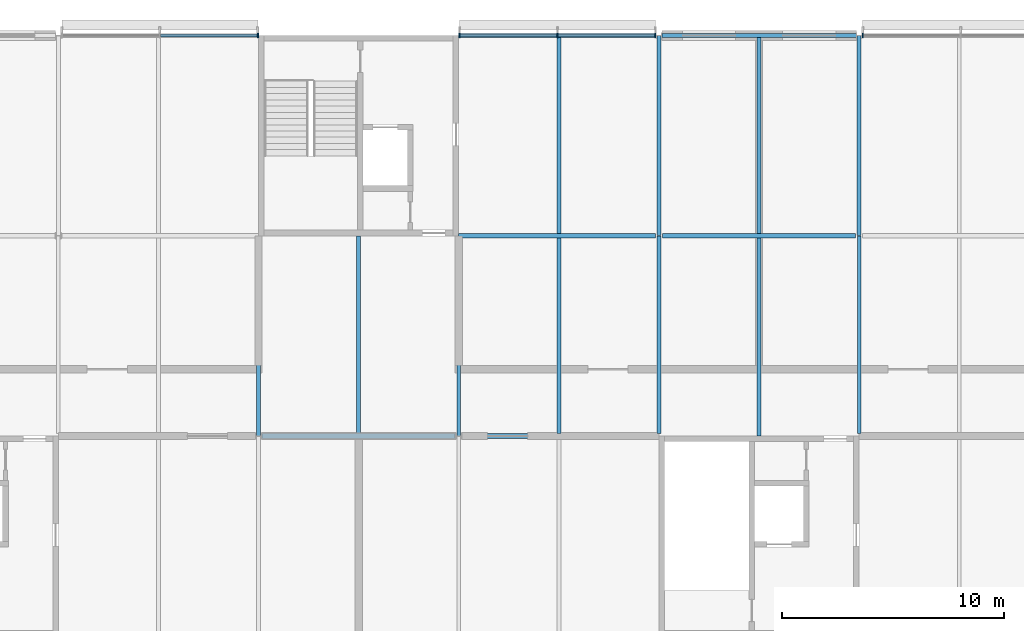
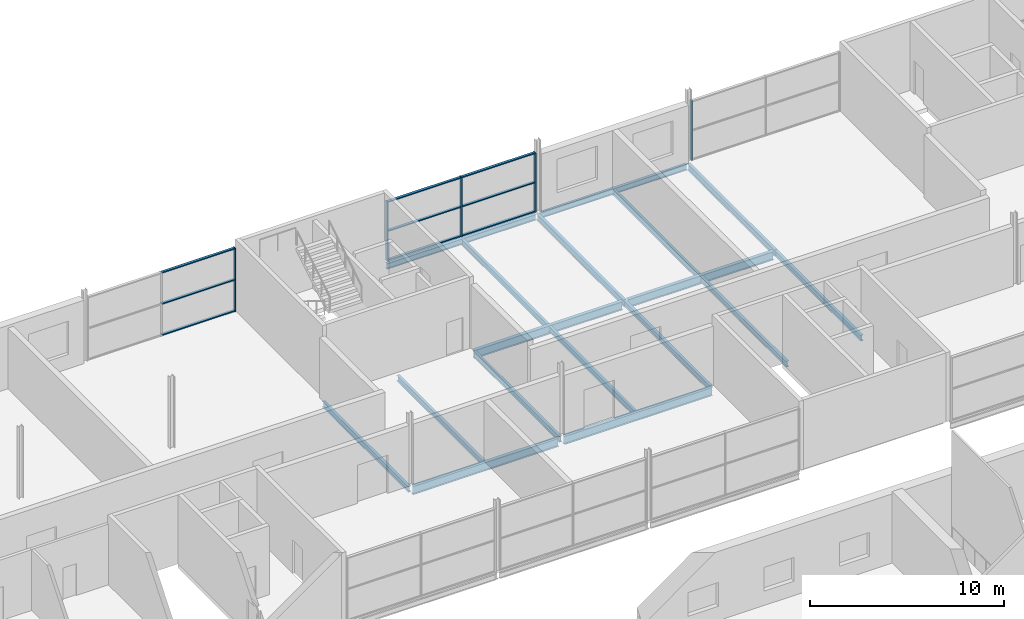
# One storey, part 72 of 138: 17 beams, 14 members, 3 elements without a shape of their own.
"""IFC4 building model written with IfcOpenShell, lengths in metres."""

from ifc_helpers import new_model, si_unit, direction, frame, origin, origin_2d, place, context, subcontext, project, spatial, rectangle, i_section, extrude, material, layer, layer_set, material_profile, profile_set, type_object, element, aggregate, save


model = new_model("IFC4")

# Units and contexts
model_context = context("Model", 3, precision=1e-05, world=origin(), true_north=direction((0.0, 1.0)))
body_context = subcontext(model_context, "Body", "Model", "MODEL_VIEW")
ifc_project = project(units=[si_unit("LENGTHUNIT", "METRE"), si_unit("AREAUNIT", "SQUARE_METRE"), si_unit("VOLUMEUNIT", "CUBIC_METRE"), si_unit("PLANEANGLEUNIT", "RADIAN"), si_unit("MASSUNIT", "GRAM", prefix="KILO")], contexts=[model_context])

# Site, building, storey
site_placement = place(None, origin())
site = spatial("IfcSite", under=ifc_project, at=site_placement, CompositionType="ELEMENT")
building_placement = place(site_placement, origin())
building = spatial("IfcBuilding", under=site, at=building_placement, Name="Corbel Yard City Hall", CompositionType="ELEMENT")
storey_placement = place(building_placement, frame((0.0, 0.0, 10.5)))
storey = spatial("IfcBuildingStorey", under=building, at=storey_placement, Name="L02", CompositionType="ELEMENT", Elevation=10.5)

# Beams
ifc_material_1 = material(Name="Steel Grade 300 (300 MPa yield)", Category="steel")
ifc_material_profile_1 = material_profile(ifc_material_1, i_section(OverallWidth=0.1708984375, OverallDepth=0.35595703125, WebThickness=0.00732421875, FlangeThickness=0.011474609375, at=origin_2d()), Name="360UB50.7")
ifc_profile_set_1 = profile_set([ifc_material_profile_1], Name="Steel Grade 300 (300 MPa yield)")
beam_type_1 = type_object("IfcBeamType", Name="Beam 360UB50.7", PredefinedType="BEAM", material=ifc_profile_set_1)
for number, where, z_axis, x_axis, name in (
    (1, (99.0, 99.005859375, -0.327880859375), (0.0, 1.0, 0.0), (-1.0, 0.0, 0.0), "Beam 360UB50.7 SB14 L02floor"),
    (2, (108.0, 99.005859375, -0.327880859375), (0.0, 1.0, 0.0), (-1.0, 0.0, 0.0), "Beam 360UB50.7 SB14 L02floor"),
    (3, (117.0, 99.1044921875, -0.327880859375), (0.0, 1.0, 0.0), (-1.0, 0.0, 0.0), "Beam 360UB50.7 SB14 L02floor"),
    (4, (126.0, 99.1044921875, -0.327880859375), (0.0, 1.0, 0.0), (-1.0, 0.0, 0.0), "Beam 360UB50.7 SB14 L02floor"),
):
    element("IfcBeam", number, at=place(storey_placement, frame(where, z_axis=z_axis, x_axis=x_axis)), inside=storey, type_object=beam_type_1, Name=name, PredefinedType="BEAM", context=body_context, shape_type="SweptSolid", body=[
        extrude(i_section(OverallWidth=0.1708984375, OverallDepth=0.35595703125, WebThickness=0.00732421875, FlangeThickness=0.011474609375, at=origin_2d()), origin(), (0.0, 0.0, 1.0), 8.8896484375),
    ])
ifc_material_profile_2 = material_profile(ifc_material_1, i_section(OverallWidth=0.177978515625, OverallDepth=0.403076171875, WebThickness=0.007568359375, FlangeThickness=0.010986328125, at=origin_2d()), Name="410UB53.7")
ifc_profile_set_2 = profile_set([ifc_material_profile_2], Name="Steel Grade 300 (300 MPa yield)")
beam_type_2 = type_object("IfcBeamType", Name="Beam 410UB53.7", PredefinedType="BEAM", material=ifc_profile_set_2)
for number, where, z_axis, x_axis, name in (
    (5, (117.0, 108.005859375, -0.3515625), (0.0, 1.0, 0.0), (-1.0, 0.0, 0.0), "Beam 410UB53.7 SB6 L02floor"),
    (6, (126.0, 108.005859375, -0.3515625), (0.0, 1.0, 0.0), (-1.0, 0.0, 0.0), "Beam 410UB53.7 SB6 L02floor"),
):
    element("IfcBeam", number, at=place(storey_placement, frame(where, z_axis=z_axis, x_axis=x_axis)), inside=storey, type_object=beam_type_2, Name=name, PredefinedType="BEAM", context=body_context, shape_type="SweptSolid", body=[
        extrude(i_section(OverallWidth=0.177978515625, OverallDepth=0.403076171875, WebThickness=0.007568359375, FlangeThickness=0.010986328125, at=origin_2d()), origin(), (0.0, 0.0, 1.0), 8.98876953125),
    ])
ifc_material_profile_3 = material_profile(ifc_material_1, i_section(OverallWidth=0.172119140625, OverallDepth=0.35888671875, WebThickness=0.008056640625, FlangeThickness=0.012939453125, at=origin_2d()), Name="360UB56.7")
ifc_profile_set_3 = profile_set([ifc_material_profile_3], Name="Steel Grade 300 (300 MPa yield)")
beam_type_3 = type_object("IfcBeamType", Name="Edge beam 360UB56.7", PredefinedType="BEAM", material=ifc_profile_set_3)
beam_1_placement = place(storey_placement, frame((108.0, 117.0, -0.32958984375), z_axis=(1.0, 0.0, 0.0), x_axis=(0.0, 1.0, 0.0)))
element("IfcBeam", 7, at=beam_1_placement, inside=storey, type_object=beam_type_3, Name="Edge beam 360UB56.7 EB4 L02floor", PredefinedType="BEAM", context=body_context, shape_type="SweptSolid", body=[
    extrude(i_section(OverallWidth=0.172119140625, OverallDepth=0.35888671875, WebThickness=0.008056640625, FlangeThickness=0.012939453125, at=origin_2d()), origin(), (0.0, 0.0, 1.0), 8.8701171875),
])
beam_2_placement = place(storey_placement, frame((117.1298828125, 117.0, -0.32958984375), z_axis=(1.0, 0.0, 0.0), x_axis=(0.0, 1.0, 0.0)))
element("IfcBeam", 8, at=beam_2_placement, inside=storey, type_object=beam_type_3, Name="Edge beam 360UB56.7 EB4 L02floor", PredefinedType="BEAM", context=body_context, shape_type="SweptSolid", body=[
    extrude(i_section(OverallWidth=0.172119140625, OverallDepth=0.35888671875, WebThickness=0.008056640625, FlangeThickness=0.012939453125, at=origin_2d()), origin(), (0.0, 0.0, 1.0), 8.740234375),
])
ifc_material_profile_4 = material_profile(ifc_material_1, i_section(OverallWidth=0.208984375, OverallDepth=0.528076171875, WebThickness=0.009521484375, FlangeThickness=0.01318359375, at=origin_2d()), Name="530UB82.0")
ifc_profile_set_4 = profile_set([ifc_material_profile_4], Name="Steel Grade 300 (300 MPa yield)")
beam_type_4 = type_object("IfcBeamType", Name="Girder 530UB82.0", PredefinedType="BEAM", material=ifc_profile_set_4)
beam_3_placement = place(storey_placement, frame((99.157470703125, 99.0, -0.4140625), z_axis=(1.0, 0.0, 0.0), x_axis=(0.0, 1.0, 0.0)))
element("IfcBeam", 9, at=beam_3_placement, inside=storey, type_object=beam_type_4, Name="Girder 530UB82.0 GB3 L02floor", PredefinedType="BEAM", context=body_context, shape_type="SweptSolid", body=[
    extrude(i_section(OverallWidth=0.208984375, OverallDepth=0.528076171875, WebThickness=0.009521484375, FlangeThickness=0.01318359375, at=origin_2d()), origin(), (0.0, 0.0, 1.0), 8.68505859375),
])
for number, where, z_axis, x_axis, name in (
    (10, (108.157470703125, 99.0, -0.4140625), (1.0, 0.0, 0.0), (0.0, 1.0, 0.0), "Girder 530UB82.0 GB3 L02floor"),
    (11, (108.0, 108.0, -0.4140625), (1.0, 0.0, 0.0), (0.0, 1.0, 0.0), "Girder 530UB82.0 GB3 L02floor"),
):
    element("IfcBeam", number, at=place(storey_placement, frame(where, z_axis=z_axis, x_axis=x_axis)), inside=storey, type_object=beam_type_4, Name=name, PredefinedType="BEAM", context=body_context, shape_type="SweptSolid", body=[
        extrude(i_section(OverallWidth=0.208984375, OverallDepth=0.528076171875, WebThickness=0.009521484375, FlangeThickness=0.01318359375, at=origin_2d()), origin(), (0.0, 0.0, 1.0), 8.842529296875),
    ])
beam_4_placement = place(storey_placement, frame((117.157470703125, 108.0, -0.4140625), z_axis=(1.0, 0.0, 0.0), x_axis=(0.0, 1.0, 0.0)))
element("IfcBeam", 12, at=beam_4_placement, inside=storey, type_object=beam_type_4, Name="Girder 530UB82.0 GB3 L02floor", PredefinedType="BEAM", context=body_context, shape_type="SweptSolid", body=[
    extrude(i_section(OverallWidth=0.208984375, OverallDepth=0.528076171875, WebThickness=0.009521484375, FlangeThickness=0.01318359375, at=origin_2d()), origin(), (0.0, 0.0, 1.0), 8.68505859375),
])

# Curtain wall, member
ifc_material_2 = material(Name="Aluminium extrusion", Category="aluminium")
ifc_layer = layer(ifc_material_2, 0.199951171875)
ifc_layer_set = layer_set([ifc_layer], Name="Aluminium extrusion")
curtain_wall_type = type_object("IfcCurtainWallType", Name="CW1", PredefinedType="USERDEFINED", material=ifc_layer_set)
curtain_wall_1_placement = place(storey_placement, origin())
curtain_wall_1 = element("IfcCurtainWall", 13, at=curtain_wall_1_placement, inside=storey, type_object=curtain_wall_type, Name="Curtain wall CW1 L02", ObjectType="CURTAIN WALL", PredefinedType="USERDEFINED")
ifc_material_profile_5 = material_profile(ifc_material_2, rectangle(XDim=0.199951171875, YDim=0.06494140625, at=origin_2d()), Name="200x65")
ifc_profile_set_5 = profile_set([ifc_material_profile_5], Name="Aluminium extrusion")
member_type_1 = type_object("IfcMemberType", Name="ML1", PredefinedType="MULLION", material=ifc_profile_set_5)
member_1_placement = place(storey_placement, frame((98.967529296875, 117.0, 0.0), z_axis=(0.0, 0.0, 1.0), x_axis=(0.0, 1.0, 0.0)))
member_1 = element("IfcMember", 14, at=member_1_placement, type_object=member_type_1, Name="CW1 mullion 3", PredefinedType="MULLION", context=body_context, shape_type="SweptSolid", body=[
    extrude(rectangle(XDim=0.199951171875, YDim=0.06494140625, at=origin_2d()), origin(), (0.0, 0.0, 1.0), 3.990966796875),
])

# Curtain wall, members
curtain_wall_2_placement = place(storey_placement, origin())
curtain_wall_2 = element("IfcCurtainWall", 15, at=curtain_wall_2_placement, inside=storey, type_object=curtain_wall_type, Name="Curtain wall CW1 L02", ObjectType="CURTAIN WALL", PredefinedType="USERDEFINED")
member_2_placement = place(storey_placement, frame((108.032470703125, 117.0, 0.0), z_axis=(0.0, 0.0, 1.0), x_axis=(0.0, 1.0, 0.0)))
member_2 = element("IfcMember", 16, at=member_2_placement, type_object=member_type_1, Name="CW1 mullion 1", PredefinedType="MULLION", context=body_context, shape_type="SweptSolid", body=[
    extrude(rectangle(XDim=0.199951171875, YDim=0.06494140625, at=origin_2d()), origin(), (0.0, 0.0, 1.0), 3.738037109375),
])
member_3_placement = place(storey_placement, frame((112.4365234375, 117.0, 0.0), z_axis=(0.0, 0.0, 1.0), x_axis=(0.0, 1.0, 0.0)))
member_3 = element("IfcMember", 17, at=member_3_placement, type_object=member_type_1, Name="CW1 mullion 2", PredefinedType="MULLION", context=body_context, shape_type="SweptSolid", body=[
    extrude(rectangle(XDim=0.199951171875, YDim=0.06494140625, at=origin_2d()), origin(), (0.0, 0.0, 1.0), 3.738037109375),
])
member_4_placement = place(storey_placement, frame((116.840576171875, 117.0, 0.0), z_axis=(0.0, 0.0, 1.0), x_axis=(0.0, 1.0, 0.0)))
member_4 = element("IfcMember", 18, at=member_4_placement, type_object=member_type_1, Name="CW1 mullion 3", PredefinedType="MULLION", context=body_context, shape_type="SweptSolid", body=[
    extrude(rectangle(XDim=0.199951171875, YDim=0.06494140625, at=origin_2d()), origin(), (0.0, 0.0, 1.0), 3.738037109375),
])

# Curtain wall, member
curtain_wall_3_placement = place(storey_placement, origin())
curtain_wall_3 = element("IfcCurtainWall", 19, at=curtain_wall_3_placement, inside=storey, type_object=curtain_wall_type, Name="Curtain wall CW1 L02", ObjectType="CURTAIN WALL", PredefinedType="USERDEFINED")
member_5_placement = place(storey_placement, frame((126.159423828125, 117.0, 0.0), z_axis=(0.0, 0.0, 1.0), x_axis=(0.0, 1.0, 0.0)))
member_5 = element("IfcMember", 20, at=member_5_placement, type_object=member_type_1, Name="CW1 mullion 1", PredefinedType="MULLION", context=body_context, shape_type="SweptSolid", body=[
    extrude(rectangle(XDim=0.199951171875, YDim=0.06494140625, at=origin_2d()), origin(), (0.0, 0.0, 1.0), 3.738037109375),
])
aggregate(curtain_wall_3, [member_5])

# Beams
ifc_material_profile_6 = material_profile(ifc_material_1, i_section(OverallWidth=0.1708984375, OverallDepth=0.35205078125, WebThickness=0.0068359375, FlangeThickness=0.009765625, at=origin_2d()), Name="360UB44.7")
ifc_profile_set_6 = profile_set([ifc_material_profile_6], Name="Steel Grade 300 (300 MPa yield)")
beam_type_5 = type_object("IfcBeamType", Name="Secondary beam 360UB44.7", PredefinedType="JOIST", material=ifc_profile_set_6)
beam_5_placement = place(storey_placement, frame((112.5, 99.1044921875, -0.325927734375), z_axis=(0.0, 1.0, 0.0), x_axis=(-1.0, 0.0, 0.0)))
element("IfcBeam", 21, at=beam_5_placement, inside=storey, type_object=beam_type_5, Name="Secondary beam 360UB44.7 SB11 L02floor", PredefinedType="JOIST", context=body_context, shape_type="SweptSolid", body=[
    extrude(i_section(OverallWidth=0.1708984375, OverallDepth=0.35205078125, WebThickness=0.0068359375, FlangeThickness=0.009765625, at=origin_2d()), origin(), (0.0, 0.0, 1.0), 8.791015625),
])
ifc_material_profile_7 = material_profile(ifc_material_1, i_section(OverallWidth=0.1708984375, OverallDepth=0.35595703125, WebThickness=0.00732421875, FlangeThickness=0.011474609375, at=origin_2d()), Name="360UB50.7")
ifc_profile_set_7 = profile_set([ifc_material_profile_7], Name="Steel Grade 300 (300 MPa yield)")
beam_type_6 = type_object("IfcBeamType", Name="Secondary beam 360UB50.7", PredefinedType="JOIST", material=ifc_profile_set_7)
beam_6_placement = place(storey_placement, frame((103.5, 99.1044921875, -0.327880859375), z_axis=(0.0, 1.0, 0.0), x_axis=(-1.0, 0.0, 0.0)))
element("IfcBeam", 22, at=beam_6_placement, inside=storey, type_object=beam_type_6, Name="Secondary beam 360UB50.7 SB10 L02floor", PredefinedType="JOIST", context=body_context, shape_type="SweptSolid", body=[
    extrude(i_section(OverallWidth=0.1708984375, OverallDepth=0.35595703125, WebThickness=0.00732421875, FlangeThickness=0.011474609375, at=origin_2d()), origin(), (0.0, 0.0, 1.0), 8.8955078125),
])
beam_7_placement = place(storey_placement, frame((112.5, 108.1044921875, -0.327880859375), z_axis=(0.0, 1.0, 0.0), x_axis=(-1.0, 0.0, 0.0)))
element("IfcBeam", 23, at=beam_7_placement, inside=storey, type_object=beam_type_6, Name="Secondary beam 360UB50.7 SB10 L02floor", PredefinedType="JOIST", context=body_context, shape_type="SweptSolid", body=[
    extrude(i_section(OverallWidth=0.1708984375, OverallDepth=0.35595703125, WebThickness=0.00732421875, FlangeThickness=0.011474609375, at=origin_2d()), origin(), (0.0, 0.0, 1.0), 8.8095703125),
])
beam_8_placement = place(storey_placement, frame((121.5, 99.0, -0.327880859375), z_axis=(0.0, 1.0, 0.0), x_axis=(-1.0, 0.0, 0.0)))
element("IfcBeam", 24, at=beam_8_placement, inside=storey, type_object=beam_type_6, Name="Secondary beam 360UB50.7 SB10 L02floor", PredefinedType="JOIST", context=body_context, shape_type="SweptSolid", body=[
    extrude(i_section(OverallWidth=0.1708984375, OverallDepth=0.35595703125, WebThickness=0.00732421875, FlangeThickness=0.011474609375, at=origin_2d()), origin(), (0.0, 0.0, 1.0), 8.8955078125),
])
beam_9_placement = place(storey_placement, frame((121.5, 108.1044921875, -0.327880859375), z_axis=(0.0, 1.0, 0.0), x_axis=(-1.0, 0.0, 0.0)))
element("IfcBeam", 25, at=beam_9_placement, inside=storey, type_object=beam_type_6, Name="Secondary beam 360UB50.7 SB10 L02floor", PredefinedType="JOIST", context=body_context, shape_type="SweptSolid", body=[
    extrude(i_section(OverallWidth=0.1708984375, OverallDepth=0.35595703125, WebThickness=0.00732421875, FlangeThickness=0.011474609375, at=origin_2d()), origin(), (0.0, 0.0, 1.0), 8.8095703125),
])

# Member
ifc_material_profile_8 = material_profile(ifc_material_2, rectangle(XDim=0.14990234375, YDim=0.06494140625, at=origin_2d()), Name="150x65")
ifc_profile_set_8 = profile_set([ifc_material_profile_8], Name="Aluminium extrusion")
member_type_2 = type_object("IfcMemberType", Name="TR1", PredefinedType="USERDEFINED", material=ifc_profile_set_8)
member_6_placement = place(storey_placement, frame((94.595947265625, 117.0, 0.032470703125), z_axis=(1.0, 0.0, 0.0), x_axis=(0.0, 1.0, 0.0)))
member_6 = element("IfcMember", 26, at=member_6_placement, type_object=member_type_2, Name="CW1 transom 2.1", ObjectType="TRANSOM", PredefinedType="USERDEFINED", context=body_context, shape_type="SweptSolid", body=[
    extrude(rectangle(XDim=0.14990234375, YDim=0.06494140625, at=origin_2d()), origin(), (0.0, 0.0, 1.0), 4.339111328125),
])

member_7_placement = place(storey_placement, frame((94.595947265625, 117.0, 1.99560546875), z_axis=(1.0, 0.0, 0.0), x_axis=(0.0, 1.0, 0.0)))
member_7 = element("IfcMember", 27, at=member_7_placement, type_object=member_type_2, Name="CW1 transom 2.2", ObjectType="TRANSOM", PredefinedType="USERDEFINED", context=body_context, shape_type="SweptSolid", body=[
    extrude(rectangle(XDim=0.14990234375, YDim=0.06494140625, at=origin_2d()), origin(), (0.0, 0.0, 1.0), 4.339111328125),
])

member_8_placement = place(storey_placement, frame((94.595947265625, 117.0, 3.95849609375), z_axis=(1.0, 0.0, 0.0), x_axis=(0.0, 1.0, 0.0)))
member_8 = element("IfcMember", 28, at=member_8_placement, type_object=member_type_2, Name="CW1 transom 2.3", ObjectType="TRANSOM", PredefinedType="USERDEFINED", context=body_context, shape_type="SweptSolid", body=[
    extrude(rectangle(XDim=0.14990234375, YDim=0.06494140625, at=origin_2d()), origin(), (0.0, 0.0, 1.0), 4.339111328125),
])

aggregate(curtain_wall_1, [member_1, member_6, member_7, member_8])

member_9_placement = place(storey_placement, frame((108.06494140625, 117.0, 0.032470703125), z_axis=(1.0, 0.0, 0.0), x_axis=(0.0, 1.0, 0.0)))
member_9 = element("IfcMember", 29, at=member_9_placement, type_object=member_type_2, Name="CW1 transom 1.1", ObjectType="TRANSOM", PredefinedType="USERDEFINED", context=body_context, shape_type="SweptSolid", body=[
    extrude(rectangle(XDim=0.14990234375, YDim=0.06494140625, at=origin_2d()), origin(), (0.0, 0.0, 1.0), 4.339111328125),
])

member_10_placement = place(storey_placement, frame((108.06494140625, 117.0, 1.868896484375), z_axis=(1.0, 0.0, 0.0), x_axis=(0.0, 1.0, 0.0)))
member_10 = element("IfcMember", 30, at=member_10_placement, type_object=member_type_2, Name="CW1 transom 1.2", ObjectType="TRANSOM", PredefinedType="USERDEFINED", context=body_context, shape_type="SweptSolid", body=[
    extrude(rectangle(XDim=0.14990234375, YDim=0.06494140625, at=origin_2d()), origin(), (0.0, 0.0, 1.0), 4.339111328125),
])

member_11_placement = place(storey_placement, frame((108.06494140625, 117.0, 3.70556640625), z_axis=(1.0, 0.0, 0.0), x_axis=(0.0, 1.0, 0.0)))
member_11 = element("IfcMember", 31, at=member_11_placement, type_object=member_type_2, Name="CW1 transom 1.3", ObjectType="TRANSOM", PredefinedType="USERDEFINED", context=body_context, shape_type="SweptSolid", body=[
    extrude(rectangle(XDim=0.14990234375, YDim=0.06494140625, at=origin_2d()), origin(), (0.0, 0.0, 1.0), 4.339111328125),
])

member_12_placement = place(storey_placement, frame((112.468994140625, 117.0, 0.032470703125), z_axis=(1.0, 0.0, 0.0), x_axis=(0.0, 1.0, 0.0)))
member_12 = element("IfcMember", 32, at=member_12_placement, type_object=member_type_2, Name="CW1 transom 2.1", ObjectType="TRANSOM", PredefinedType="USERDEFINED", context=body_context, shape_type="SweptSolid", body=[
    extrude(rectangle(XDim=0.14990234375, YDim=0.06494140625, at=origin_2d()), origin(), (0.0, 0.0, 1.0), 4.339111328125),
])

member_13_placement = place(storey_placement, frame((112.468994140625, 117.0, 1.868896484375), z_axis=(1.0, 0.0, 0.0), x_axis=(0.0, 1.0, 0.0)))
member_13 = element("IfcMember", 33, at=member_13_placement, type_object=member_type_2, Name="CW1 transom 2.2", ObjectType="TRANSOM", PredefinedType="USERDEFINED", context=body_context, shape_type="SweptSolid", body=[
    extrude(rectangle(XDim=0.14990234375, YDim=0.06494140625, at=origin_2d()), origin(), (0.0, 0.0, 1.0), 4.339111328125),
])

member_14_placement = place(storey_placement, frame((112.468994140625, 117.0, 3.70556640625), z_axis=(1.0, 0.0, 0.0), x_axis=(0.0, 1.0, 0.0)))
member_14 = element("IfcMember", 34, at=member_14_placement, type_object=member_type_2, Name="CW1 transom 2.3", ObjectType="TRANSOM", PredefinedType="USERDEFINED", context=body_context, shape_type="SweptSolid", body=[
    extrude(rectangle(XDim=0.14990234375, YDim=0.06494140625, at=origin_2d()), origin(), (0.0, 0.0, 1.0), 4.339111328125),
])

aggregate(curtain_wall_2, [member_2, member_3, member_4, member_9, member_10, member_11, member_12, member_13, member_14])

save(model, "model.ifc")
